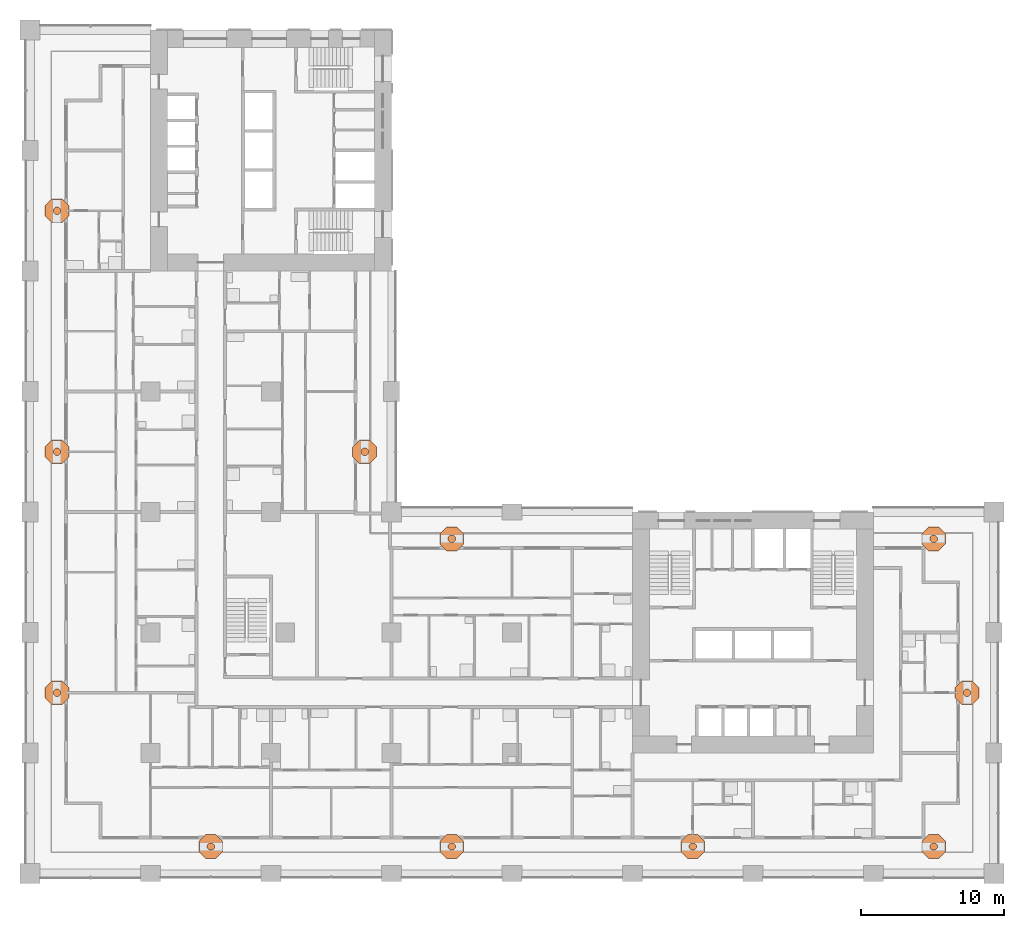
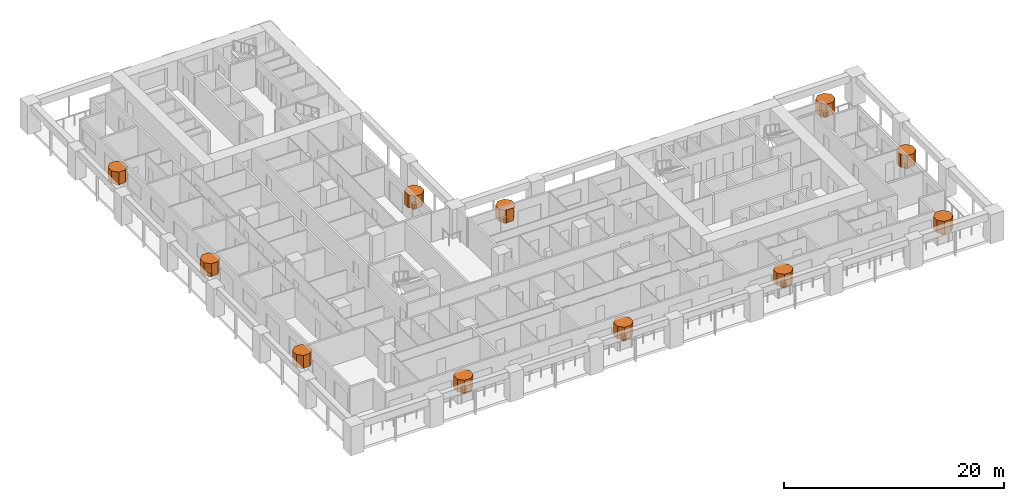
# One storey, part 22 of 22: 22 geographic elements.
"""IFC4 building model written with IfcOpenShell, lengths in metres."""

from ifc_helpers import new_model, si_unit, direction, frame, origin, place, context, subcontext, project, spatial, polyline, outline, extrude, material, element, save


model = new_model("IFC4")

# Units and contexts
model_context = context("Model", 3, precision=1e-05, world=origin(), true_north=direction((0.0, 1.0)))
body_context = subcontext(model_context, "Body", "Model", "MODEL_VIEW")
ifc_project = project(units=[si_unit("LENGTHUNIT", "METRE"), si_unit("AREAUNIT", "SQUARE_METRE"), si_unit("VOLUMEUNIT", "CUBIC_METRE"), si_unit("PLANEANGLEUNIT", "RADIAN"), si_unit("MASSUNIT", "GRAM", prefix="KILO")], contexts=[model_context])

# Site, building, storey
site_placement = place(None, origin())
site = spatial("IfcSite", under=ifc_project, at=site_placement, CompositionType="ELEMENT")
building_placement = place(site_placement, origin())
building = spatial("IfcBuilding", under=site, at=building_placement, Name="Vermilion Gate Residences", CompositionType="ELEMENT")
storey_placement = place(building_placement, frame((0.0, 0.0, 60.199951171875)))
storey = spatial("IfcBuildingStorey", under=building, at=storey_placement, Name="L14", CompositionType="ELEMENT", Elevation=60.199951171875)

# Geographic elements
ifc_material = material(Name="Foliage")
geographic_element_1_placement = place(storey_placement, frame((0.0, 0.0, 0.900146484375)))
element("IfcGeographicElement", 1, at=geographic_element_1_placement, inside=storey, material=ifc_material, Name="Tree (black pine)", ObjectType="TREE", PredefinedType="USERDEFINED", context=body_context, shape_type="SweptSolid", body=[
    extrude(outline(polyline([(12.85400390625, 1.980224609375), (12.705078125, 2.129150390625), (12.494873046875, 2.129150390625), (12.345947265625, 1.980224609375), (12.345947265625, 1.769775390625), (12.494873046875, 1.620849609375), (12.705078125, 1.620849609375), (12.85400390625, 1.769775390625), (12.85400390625, 1.980224609375)])), origin(), (0.0, 0.0, 1.0), 0.52001953125),
])
geographic_element_2_placement = place(storey_placement, frame((0.0, 0.0, 1.420166015625)))
element("IfcGeographicElement", 2, at=geographic_element_2_placement, inside=storey, material=ifc_material, Name="Tree crown (black pine)", ObjectType="TREE", PredefinedType="USERDEFINED", context=body_context, shape_type="SweptSolid", body=[
    extrude(outline(polyline([(13.431396484375, 2.219482421875), (12.9443359375, 2.70654296875), (12.255615234375, 2.70654296875), (11.7685546875, 2.219482421875), (11.7685546875, 1.530517578125), (12.255615234375, 1.04345703125), (12.9443359375, 1.04345703125), (13.431396484375, 1.530517578125), (13.431396484375, 2.219482421875)])), origin(), (0.0, 0.0, 1.0), 1.39990234375),
])
geographic_element_3_placement = place(storey_placement, frame((0.0, 0.0, 0.900146484375)))
element("IfcGeographicElement", 3, at=geographic_element_3_placement, inside=storey, material=ifc_material, Name="Tree (maple)", ObjectType="TREE", PredefinedType="USERDEFINED", context=body_context, shape_type="SweptSolid", body=[
    extrude(outline(polyline([(29.654052734375, 1.980224609375), (29.505126953125, 2.129150390625), (29.294921875, 2.129150390625), (29.14599609375, 1.980224609375), (29.14599609375, 1.769775390625), (29.294921875, 1.620849609375), (29.505126953125, 1.620849609375), (29.654052734375, 1.769775390625), (29.654052734375, 1.980224609375)])), origin(), (0.0, 0.0, 1.0), 0.52001953125),
])
geographic_element_4_placement = place(storey_placement, frame((0.0, 0.0, 1.420166015625)))
element("IfcGeographicElement", 4, at=geographic_element_4_placement, inside=storey, material=ifc_material, Name="Tree crown (maple)", ObjectType="TREE", PredefinedType="USERDEFINED", context=body_context, shape_type="SweptSolid", body=[
    extrude(outline(polyline([(30.2314453125, 2.219482421875), (29.744384765625, 2.70654296875), (29.0556640625, 2.70654296875), (28.568603515625, 2.219482421875), (28.568603515625, 1.530517578125), (29.0556640625, 1.04345703125), (29.744384765625, 1.04345703125), (30.2314453125, 1.530517578125), (30.2314453125, 2.219482421875)])), origin(), (0.0, 0.0, 1.0), 1.39990234375),
])
geographic_element_5_placement = place(storey_placement, frame((0.0, 0.0, 0.900146484375)))
element("IfcGeographicElement", 5, at=geographic_element_5_placement, inside=storey, material=ifc_material, Name="Tree (black pine)", ObjectType="TREE", PredefinedType="USERDEFINED", context=body_context, shape_type="SweptSolid", body=[
    extrude(outline(polyline([(46.4541015625, 1.980224609375), (46.30517578125, 2.129150390625), (46.0947265625, 2.129150390625), (45.94580078125, 1.980224609375), (45.94580078125, 1.769775390625), (46.0947265625, 1.620849609375), (46.30517578125, 1.620849609375), (46.4541015625, 1.769775390625), (46.4541015625, 1.980224609375)])), origin(), (0.0, 0.0, 1.0), 0.52001953125),
])
geographic_element_6_placement = place(storey_placement, frame((0.0, 0.0, 1.420166015625)))
element("IfcGeographicElement", 6, at=geographic_element_6_placement, inside=storey, material=ifc_material, Name="Tree crown (black pine)", ObjectType="TREE", PredefinedType="USERDEFINED", context=body_context, shape_type="SweptSolid", body=[
    extrude(outline(polyline([(47.031494140625, 2.219482421875), (46.54443359375, 2.70654296875), (45.855712890625, 2.70654296875), (45.368408203125, 2.219482421875), (45.368408203125, 1.530517578125), (45.855712890625, 1.04345703125), (46.54443359375, 1.04345703125), (47.031494140625, 1.530517578125), (47.031494140625, 2.219482421875)])), origin(), (0.0, 0.0, 1.0), 1.39990234375),
])
geographic_element_7_placement = place(storey_placement, frame((0.0, 0.0, 0.900146484375)))
element("IfcGeographicElement", 7, at=geographic_element_7_placement, inside=storey, material=ifc_material, Name="Tree (maple)", ObjectType="TREE", PredefinedType="USERDEFINED", context=body_context, shape_type="SweptSolid", body=[
    extrude(outline(polyline([(63.254150390625, 1.980224609375), (63.105224609375, 2.129150390625), (62.894775390625, 2.129150390625), (62.745849609375, 1.980224609375), (62.745849609375, 1.769775390625), (62.894775390625, 1.620849609375), (63.105224609375, 1.620849609375), (63.254150390625, 1.769775390625), (63.254150390625, 1.980224609375)])), origin(), (0.0, 0.0, 1.0), 0.52001953125),
])
geographic_element_8_placement = place(storey_placement, frame((0.0, 0.0, 1.420166015625)))
element("IfcGeographicElement", 8, at=geographic_element_8_placement, inside=storey, material=ifc_material, Name="Tree crown (maple)", ObjectType="TREE", PredefinedType="USERDEFINED", context=body_context, shape_type="SweptSolid", body=[
    extrude(outline(polyline([(63.83154296875, 2.219482421875), (63.344482421875, 2.70654296875), (62.655517578125, 2.70654296875), (62.16845703125, 2.219482421875), (62.16845703125, 1.530517578125), (62.655517578125, 1.04345703125), (63.344482421875, 1.04345703125), (63.83154296875, 1.530517578125), (63.83154296875, 2.219482421875)])), origin(), (0.0, 0.0, 1.0), 1.39990234375),
])
geographic_element_9_placement = place(storey_placement, frame((0.0, 0.0, 0.900146484375)))
element("IfcGeographicElement", 9, at=geographic_element_9_placement, inside=storey, material=ifc_material, Name="Tree (black pine)", ObjectType="TREE", PredefinedType="USERDEFINED", context=body_context, shape_type="SweptSolid", body=[
    extrude(outline(polyline([(65.5791015625, 12.705078125), (65.43017578125, 12.85400390625), (65.2197265625, 12.85400390625), (65.07080078125, 12.705078125), (65.07080078125, 12.494873046875), (65.2197265625, 12.345947265625), (65.43017578125, 12.345947265625), (65.5791015625, 12.494873046875), (65.5791015625, 12.705078125)])), origin(), (0.0, 0.0, 1.0), 0.52001953125),
])
geographic_element_10_placement = place(storey_placement, frame((0.0, 0.0, 1.420166015625)))
element("IfcGeographicElement", 10, at=geographic_element_10_placement, inside=storey, material=ifc_material, Name="Tree crown (black pine)", ObjectType="TREE", PredefinedType="USERDEFINED", context=body_context, shape_type="SweptSolid", body=[
    extrude(outline(polyline([(66.156494140625, 12.9443359375), (65.66943359375, 13.431396484375), (64.980712890625, 13.431396484375), (64.493408203125, 12.9443359375), (64.493408203125, 12.255615234375), (64.980712890625, 11.7685546875), (65.66943359375, 11.7685546875), (66.156494140625, 12.255615234375), (66.156494140625, 12.9443359375)])), origin(), (0.0, 0.0, 1.0), 1.39990234375),
])
geographic_element_11_placement = place(storey_placement, frame((0.0, 0.0, 0.900146484375)))
element("IfcGeographicElement", 11, at=geographic_element_11_placement, inside=storey, material=ifc_material, Name="Tree (maple)", ObjectType="TREE", PredefinedType="USERDEFINED", context=body_context, shape_type="SweptSolid", body=[
    extrude(outline(polyline([(29.654052734375, 23.43017578125), (29.505126953125, 23.5791015625), (29.294921875, 23.5791015625), (29.14599609375, 23.43017578125), (29.14599609375, 23.2197265625), (29.294921875, 23.07080078125), (29.505126953125, 23.07080078125), (29.654052734375, 23.2197265625), (29.654052734375, 23.43017578125)])), origin(), (0.0, 0.0, 1.0), 0.52001953125),
])
geographic_element_12_placement = place(storey_placement, frame((0.0, 0.0, 1.420166015625)))
element("IfcGeographicElement", 12, at=geographic_element_12_placement, inside=storey, material=ifc_material, Name="Tree crown (maple)", ObjectType="TREE", PredefinedType="USERDEFINED", context=body_context, shape_type="SweptSolid", body=[
    extrude(outline(polyline([(30.2314453125, 23.66943359375), (29.744384765625, 24.156494140625), (29.0556640625, 24.156494140625), (28.568603515625, 23.66943359375), (28.568603515625, 22.980712890625), (29.0556640625, 22.493408203125), (29.744384765625, 22.493408203125), (30.2314453125, 22.980712890625), (30.2314453125, 23.66943359375)])), origin(), (0.0, 0.0, 1.0), 1.39990234375),
])
geographic_element_13_placement = place(storey_placement, frame((0.0, 0.0, 0.900146484375)))
element("IfcGeographicElement", 13, at=geographic_element_13_placement, inside=storey, material=ifc_material, Name="Tree (maple)", ObjectType="TREE", PredefinedType="USERDEFINED", context=body_context, shape_type="SweptSolid", body=[
    extrude(outline(polyline([(63.254150390625, 23.43017578125), (63.105224609375, 23.5791015625), (62.894775390625, 23.5791015625), (62.745849609375, 23.43017578125), (62.745849609375, 23.2197265625), (62.894775390625, 23.07080078125), (63.105224609375, 23.07080078125), (63.254150390625, 23.2197265625), (63.254150390625, 23.43017578125)])), origin(), (0.0, 0.0, 1.0), 0.52001953125),
])
geographic_element_14_placement = place(storey_placement, frame((0.0, 0.0, 1.420166015625)))
element("IfcGeographicElement", 14, at=geographic_element_14_placement, inside=storey, material=ifc_material, Name="Tree crown (maple)", ObjectType="TREE", PredefinedType="USERDEFINED", context=body_context, shape_type="SweptSolid", body=[
    extrude(outline(polyline([(63.83154296875, 23.66943359375), (63.344482421875, 24.156494140625), (62.655517578125, 24.156494140625), (62.16845703125, 23.66943359375), (62.16845703125, 22.980712890625), (62.655517578125, 22.493408203125), (63.344482421875, 22.493408203125), (63.83154296875, 22.980712890625), (63.83154296875, 23.66943359375)])), origin(), (0.0, 0.0, 1.0), 1.39990234375),
])
geographic_element_15_placement = place(storey_placement, frame((0.0, 0.0, 0.900146484375)))
element("IfcGeographicElement", 15, at=geographic_element_15_placement, inside=storey, material=ifc_material, Name="Tree (maple)", ObjectType="TREE", PredefinedType="USERDEFINED", context=body_context, shape_type="SweptSolid", body=[
    extrude(outline(polyline([(23.5791015625, 29.505126953125), (23.43017578125, 29.654052734375), (23.2197265625, 29.654052734375), (23.07080078125, 29.505126953125), (23.07080078125, 29.294921875), (23.2197265625, 29.14599609375), (23.43017578125, 29.14599609375), (23.5791015625, 29.294921875), (23.5791015625, 29.505126953125)])), origin(), (0.0, 0.0, 1.0), 0.52001953125),
])
geographic_element_16_placement = place(storey_placement, frame((0.0, 0.0, 1.420166015625)))
element("IfcGeographicElement", 16, at=geographic_element_16_placement, inside=storey, material=ifc_material, Name="Tree crown (maple)", ObjectType="TREE", PredefinedType="USERDEFINED", context=body_context, shape_type="SweptSolid", body=[
    extrude(outline(polyline([(24.156494140625, 29.744384765625), (23.66943359375, 30.2314453125), (22.980712890625, 30.2314453125), (22.493408203125, 29.744384765625), (22.493408203125, 29.0556640625), (22.980712890625, 28.568603515625), (23.66943359375, 28.568603515625), (24.156494140625, 29.0556640625), (24.156494140625, 29.744384765625)])), origin(), (0.0, 0.0, 1.0), 1.39990234375),
])
geographic_element_17_placement = place(storey_placement, frame((0.0, 0.0, 0.900146484375)))
element("IfcGeographicElement", 17, at=geographic_element_17_placement, inside=storey, material=ifc_material, Name="Tree (black pine)", ObjectType="TREE", PredefinedType="USERDEFINED", context=body_context, shape_type="SweptSolid", body=[
    extrude(outline(polyline([(2.129150390625, 12.705078125), (1.980224609375, 12.85400390625), (1.769775390625, 12.85400390625), (1.620849609375, 12.705078125), (1.620849609375, 12.494873046875), (1.769775390625, 12.345947265625), (1.980224609375, 12.345947265625), (2.129150390625, 12.494873046875), (2.129150390625, 12.705078125)])), origin(), (0.0, 0.0, 1.0), 0.52001953125),
])
geographic_element_18_placement = place(storey_placement, frame((0.0, 0.0, 1.420166015625)))
element("IfcGeographicElement", 18, at=geographic_element_18_placement, inside=storey, material=ifc_material, Name="Tree crown (black pine)", ObjectType="TREE", PredefinedType="USERDEFINED", context=body_context, shape_type="SweptSolid", body=[
    extrude(outline(polyline([(2.70654296875, 12.9443359375), (2.219482421875, 13.431396484375), (1.530517578125, 13.431396484375), (1.04345703125, 12.9443359375), (1.04345703125, 12.255615234375), (1.530517578125, 11.7685546875), (2.219482421875, 11.7685546875), (2.70654296875, 12.255615234375), (2.70654296875, 12.9443359375)])), origin(), (0.0, 0.0, 1.0), 1.39990234375),
])
geographic_element_19_placement = place(storey_placement, frame((0.0, 0.0, 0.900146484375)))
element("IfcGeographicElement", 19, at=geographic_element_19_placement, inside=storey, material=ifc_material, Name="Tree (maple)", ObjectType="TREE", PredefinedType="USERDEFINED", context=body_context, shape_type="SweptSolid", body=[
    extrude(outline(polyline([(2.129150390625, 29.505126953125), (1.980224609375, 29.654052734375), (1.769775390625, 29.654052734375), (1.620849609375, 29.505126953125), (1.620849609375, 29.294921875), (1.769775390625, 29.14599609375), (1.980224609375, 29.14599609375), (2.129150390625, 29.294921875), (2.129150390625, 29.505126953125)])), origin(), (0.0, 0.0, 1.0), 0.52001953125),
])
geographic_element_20_placement = place(storey_placement, frame((0.0, 0.0, 1.420166015625)))
element("IfcGeographicElement", 20, at=geographic_element_20_placement, inside=storey, material=ifc_material, Name="Tree crown (maple)", ObjectType="TREE", PredefinedType="USERDEFINED", context=body_context, shape_type="SweptSolid", body=[
    extrude(outline(polyline([(2.70654296875, 29.744384765625), (2.219482421875, 30.2314453125), (1.530517578125, 30.2314453125), (1.04345703125, 29.744384765625), (1.04345703125, 29.0556640625), (1.530517578125, 28.568603515625), (2.219482421875, 28.568603515625), (2.70654296875, 29.0556640625), (2.70654296875, 29.744384765625)])), origin(), (0.0, 0.0, 1.0), 1.39990234375),
])
geographic_element_21_placement = place(storey_placement, frame((0.0, 0.0, 0.900146484375)))
element("IfcGeographicElement", 21, at=geographic_element_21_placement, inside=storey, material=ifc_material, Name="Tree (black pine)", ObjectType="TREE", PredefinedType="USERDEFINED", context=body_context, shape_type="SweptSolid", body=[
    extrude(outline(polyline([(2.129150390625, 46.30517578125), (1.980224609375, 46.4541015625), (1.769775390625, 46.4541015625), (1.620849609375, 46.30517578125), (1.620849609375, 46.0947265625), (1.769775390625, 45.94580078125), (1.980224609375, 45.94580078125), (2.129150390625, 46.0947265625), (2.129150390625, 46.30517578125)])), origin(), (0.0, 0.0, 1.0), 0.52001953125),
])
geographic_element_22_placement = place(storey_placement, frame((0.0, 0.0, 1.420166015625)))
element("IfcGeographicElement", 22, at=geographic_element_22_placement, inside=storey, material=ifc_material, Name="Tree crown (black pine)", ObjectType="TREE", PredefinedType="USERDEFINED", context=body_context, shape_type="SweptSolid", body=[
    extrude(outline(polyline([(2.70654296875, 46.54443359375), (2.219482421875, 47.031494140625), (1.530517578125, 47.031494140625), (1.04345703125, 46.54443359375), (1.04345703125, 45.855712890625), (1.530517578125, 45.368408203125), (2.219482421875, 45.368408203125), (2.70654296875, 45.855712890625), (2.70654296875, 46.54443359375)])), origin(), (0.0, 0.0, 1.0), 1.39990234375),
])

save(model, "model.ifc")
